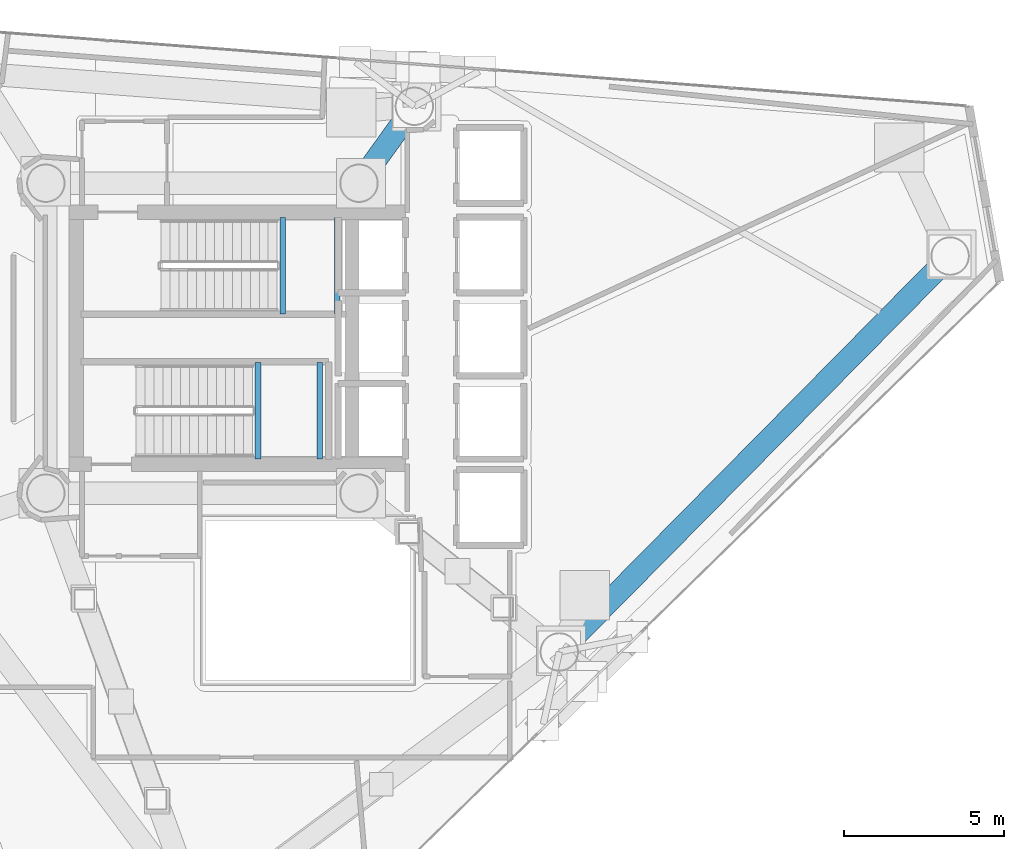
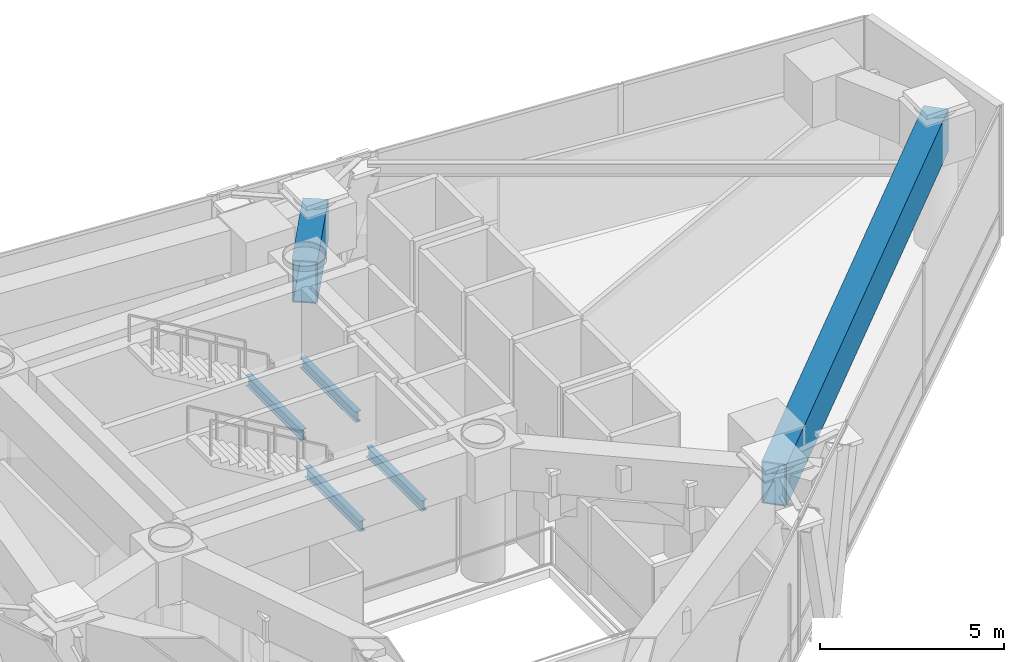
# One storey, part 11 of 20: 6 beams.
"""IFC4 building model written with IfcOpenShell, lengths in metres."""

from ifc_helpers import new_model, si_unit, direction, frame, origin, origin_2d, place, context, subcontext, project, spatial, hollow_rectangle, i_section, extrude, material, material_profile, profile_set, type_object, element, save


model = new_model("IFC4")

# Units and contexts
model_context = context("Model", 3, precision=1e-05, world=origin(), true_north=direction((0.0, 1.0)))
body_context = subcontext(model_context, "Body", "Model", "MODEL_VIEW")
ifc_project = project(units=[si_unit("LENGTHUNIT", "METRE"), si_unit("AREAUNIT", "SQUARE_METRE"), si_unit("VOLUMEUNIT", "CUBIC_METRE"), si_unit("PLANEANGLEUNIT", "RADIAN"), si_unit("MASSUNIT", "GRAM", prefix="KILO")], contexts=[model_context])

# Site, building, storey
site_placement = place(None, origin())
site = spatial("IfcSite", under=ifc_project, at=site_placement, CompositionType="ELEMENT")
building_placement = place(site_placement, origin())
building = spatial("IfcBuilding", under=site, at=building_placement, Name="Qianvela Tower", CompositionType="ELEMENT")
storey_placement = place(building_placement, frame((0.0, 0.0, 229.89990234375)))
storey = spatial("IfcBuildingStorey", under=building, at=storey_placement, Name="L59", CompositionType="ELEMENT", Elevation=229.89990234375)

# Beams
ifc_material_1 = material(Name="Steel Q355B", Category="steel")
ifc_material_profile_1 = material_profile(ifc_material_1, i_section(OverallWidth=0.175048828125, OverallDepth=0.35009765625, WebThickness=0.007080078125, FlangeThickness=0.010986328125, at=origin_2d()), Name="HN350x175x7x11")
ifc_profile_set_1 = profile_set([ifc_material_profile_1], Name="Steel Q355B")
beam_type_1 = type_object("IfcBeamType", Name="BM-HN350-JOIST", PredefinedType="JOIST", material=ifc_profile_set_1)
for number, where, z_axis, x_axis, name in (
    (1, (36.02001953125, 29.4599609375, 1.925048828125), (0.0, 1.0, 0.0), (-1.0, 0.0, 0.0), "L59 Stair ST-1 Landing Support Beam 1.1"),
    (2, (37.719970703125, 29.4599609375, 1.925048828125), (0.0, 1.0, 0.0), (-1.0, 0.0, 0.0), "L59 Stair ST-1 Landing Support Beam 1.2"),
    (3, (35.239990234375, 24.919921875, 1.925048828125), (0.0, 1.0, 0.0), (-1.0, 0.0, 0.0), "L59 Stair ST-2 Landing Support Beam 1.1"),
    (4, (37.169921875, 24.919921875, 1.925048828125), (0.0, 1.0, 0.0), (-1.0, 0.0, 0.0), "L59 Stair ST-2 Landing Support Beam 1.2"),
):
    element("IfcBeam", number, at=place(storey_placement, frame(where, z_axis=z_axis, x_axis=x_axis)), inside=storey, type_object=beam_type_1, Name=name, PredefinedType="JOIST", context=body_context, shape_type="SweptSolid", body=[
        extrude(i_section(OverallWidth=0.175048828125, OverallDepth=0.35009765625, WebThickness=0.007080078125, FlangeThickness=0.010986328125, at=origin_2d()), origin(), (0.0, 0.0, 1.0), 3.02001953125),
    ])
ifc_material_2 = material(Name="Steel Q420GJC", Category="steel")
ifc_material_profile_2 = material_profile(ifc_material_2, hollow_rectangle(XDim=0.699951171875, YDim=1.39990234375, WallThickness=0.0400390625, at=origin_2d()), Name="TG-BOX-1400x700x40")
ifc_profile_set_2 = profile_set([ifc_material_profile_2], Name="Steel Q420GJC")
beam_type_2 = type_object("IfcBeamType", Name="BM-TG-RAD-1400", PredefinedType="BEAM", material=ifc_profile_set_2)
beam_1_placement = place(storey_placement, frame((44.6669921875, 18.883056640625, 3.677978515625), z_axis=(0.702583270685, 0.711601537205, 0.0), x_axis=(-0.711601537205, 0.702583270685, 0.0)))
element("IfcBeam", 5, at=beam_1_placement, inside=storey, type_object=beam_type_2, Name="L59 Perimeter Belt-Truss Top Ring Girder 6", PredefinedType="BEAM", context=body_context, shape_type="SweptSolid", body=[
    extrude(hollow_rectangle(XDim=0.699951171875, YDim=1.39990234375, WallThickness=0.0400390625, at=origin_2d()), origin(), (0.0, 0.0, 1.0), 17.4072265625),
])
beam_2_placement = place(storey_placement, frame((38.39990234375, 33.550048828125, 3.677978515625), z_axis=(0.583742907536, 0.811938555496, 0.0), x_axis=(-0.811938555496, 0.583742907536, 0.0)))
element("IfcBeam", 6, at=beam_2_placement, inside=storey, type_object=beam_type_2, Name="L59 Radial Outrigger Top Transfer Girder 2", PredefinedType="BEAM", context=body_context, shape_type="SweptSolid", body=[
    extrude(hollow_rectangle(XDim=0.699951171875, YDim=1.39990234375, WallThickness=0.0400390625, at=origin_2d()), origin(), (0.0, 0.0, 1.0), 2.965576171875),
])

save(model, "model.ifc")
